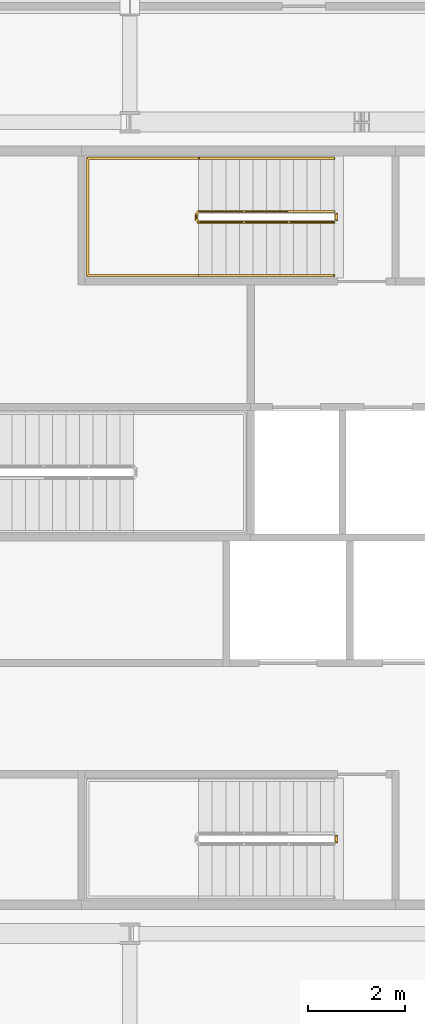
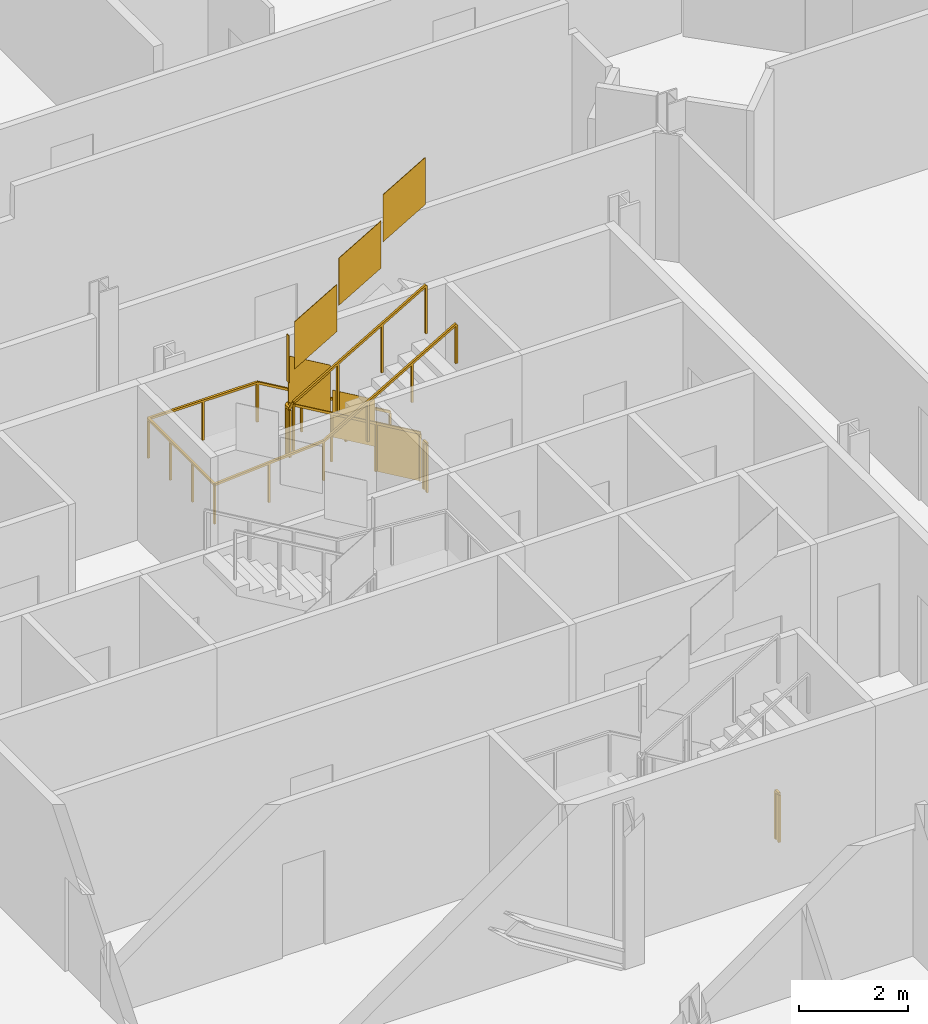
# One storey, part 18 of 21: 4 railings.
"""IFC4 building model written with IfcOpenShell, lengths in metres."""

from ifc_helpers import new_model, si_unit, direction, frame, origin, origin_2d, place, context, subcontext, project, spatial, polyline, rectangle, outline, extrude, material, type_object, element, save


model = new_model("IFC4")

# Units and contexts
model_context = context("Model", 3, precision=1e-05, world=origin(), true_north=direction((0.0, 1.0)))
body_context = subcontext(model_context, "Body", "Model", "MODEL_VIEW")
ifc_project = project(units=[si_unit("LENGTHUNIT", "METRE"), si_unit("AREAUNIT", "SQUARE_METRE"), si_unit("VOLUMEUNIT", "CUBIC_METRE"), si_unit("PLANEANGLEUNIT", "RADIAN"), si_unit("MASSUNIT", "GRAM", prefix="KILO")], contexts=[model_context])

# Site, building, storey
site_placement = place(None, origin())
site = spatial("IfcSite", under=ifc_project, at=site_placement, CompositionType="ELEMENT")
building_placement = place(site_placement, origin())
building = spatial("IfcBuilding", under=site, at=building_placement, Name="Cairn Pilgrim Tower", CompositionType="ELEMENT")
storey_placement = place(building_placement, frame((0.0, 0.0, 161.39990234375)))
storey = spatial("IfcBuildingStorey", under=building, at=storey_placement, Name="L40", CompositionType="ELEMENT", Elevation=161.39990234375)

# Railings
ifc_material = material(Name="Painted steel", Category="steel")
railing_type_1 = type_object("IfcRailingType", Name="STAIR GUARD 1100", PredefinedType="GUARDRAIL", material=ifc_material)
railing_1_placement = place(storey_placement, frame((11.47509765625, -3.97509765625, 0.0)))
element("IfcRailing", 1, at=railing_1_placement, inside=storey, type_object=railing_type_1, Name="L40 ST-A stair guard 2", PredefinedType="GUARDRAIL", context=body_context, shape_type="SweptSolid", body=[
    extrude(rectangle(XDim=0.048095703125, YDim=0.048095703125, at=origin_2d()), frame((0.0, 0.0, 1.076171875), z_axis=(0.0, -1.0, 0.0), x_axis=(1.0, 0.0, 0.0)), (0.0, 0.0, 1.0), 0.125),
    extrude(rectangle(XDim=0.0419921875, YDim=0.0419921875, at=origin_2d()), origin(), (0.0, 0.0, 1.0), 1.052001953125),
    extrude(rectangle(XDim=0.0419921875, YDim=0.0419921875, at=origin_2d()), frame((0.0, -0.125, 0.0)), (0.0, 0.0, 1.0), 1.052001953125),
    extrude(outline(polyline([(0.02099609375, 0.0), (0.10400390625, 0.0), (0.10400390625, 1.052001953125), (0.02099609375, 1.052001953125), (0.02099609375, 0.0)])), frame((0.005859375, 0.0, 0.0), z_axis=(-1.0, 0.0, 0.0), x_axis=(0.0, -1.0, 0.0)), (0.0, 0.0, 1.0), 0.011962890625),
])
railing_2_placement = place(storey_placement, frame((11.425048828125, 8.949951171875, 0.163818359375)))
element("IfcRailing", 2, at=railing_2_placement, inside=storey, type_object=railing_type_1, Name="L40 ST-C stair guard 1", PredefinedType="GUARDRAIL", context=body_context, shape_type="SweptSolid", body=[
    extrude(rectangle(XDim=0.048095703125, YDim=0.048095703125, at=origin_2d()), frame((0.0, 0.0, 1.076171875), z_axis=(-0.863393664356, 0.0, 0.504530851732), x_axis=(0.0, -1.0, 0.0)), (0.0, 0.0, 1.0), 3.2431640625),
    extrude(rectangle(XDim=0.048095703125, YDim=0.048095703125, at=origin_2d()), frame((-2.800048828125, 0.0, 2.71240234375), z_axis=(-0.707106781187, -0.707106781187, 0.0), x_axis=(0.707106781187, -0.707106781187, 0.0)), (0.0, 0.0, 1.0), 0.07080078125),
    extrude(rectangle(XDim=0.048095703125, YDim=0.048095703125, at=origin_2d()), frame((-2.85009765625, -0.050048828125, 2.71240234375), z_axis=(0.0, -1.0, 0.0), x_axis=(1.0, 0.0, 0.0)), (0.0, 0.0, 1.0), 0.125),
    extrude(rectangle(XDim=0.048095703125, YDim=0.048095703125, at=origin_2d()), frame((-2.85009765625, -0.175048828125, 2.71240234375), z_axis=(0.280916556609, -0.279546231943, 0.91811752648), x_axis=(0.705375805398, 0.708833529934, 0.0)), (0.0, 0.0, 1.0), 0.17822265625),
    extrude(rectangle(XDim=0.048095703125, YDim=0.048095703125, at=origin_2d()), frame((-2.800048828125, -0.224853515625, 2.8759765625), z_axis=(0.863360870873, 0.0, 0.504586966384), x_axis=(0.0, 1.0, 0.0)), (0.0, 0.0, 1.0), 3.2431640625),
    extrude(rectangle(XDim=0.0419921875, YDim=0.0419921875, at=origin_2d()), origin(), (0.0, 0.0, 1.0), 1.052001953125),
    extrude(rectangle(XDim=0.0419921875, YDim=0.0419921875, at=origin_2d()), frame((-0.933349609375, 0.0, 0.54541015625)), (0.0, 0.0, 1.0), 1.052001953125),
    extrude(rectangle(XDim=0.0419921875, YDim=0.0419921875, at=origin_2d()), frame((-1.86669921875, 0.0, 1.0908203125)), (0.0, 0.0, 1.0), 1.052001953125),
    extrude(rectangle(XDim=0.0419921875, YDim=0.0419921875, at=origin_2d()), frame((-2.800048828125, 0.0, 1.63623046875)), (0.0, 0.0, 1.0), 1.052001953125),
    extrude(rectangle(XDim=0.0419921875, YDim=0.0419921875, at=origin_2d()), frame((-2.85009765625, -0.050048828125, 1.63623046875)), (0.0, 0.0, 1.0), 1.052001953125),
    extrude(rectangle(XDim=0.0419921875, YDim=0.0419921875, at=origin_2d()), frame((-2.85009765625, -0.175048828125, 1.63623046875)), (0.0, 0.0, 1.0), 1.052001953125),
    extrude(rectangle(XDim=0.0419921875, YDim=0.0419921875, at=origin_2d()), frame((-2.800048828125, -0.224853515625, 1.7998046875)), (0.0, 0.0, 1.0), 1.052001953125),
    extrude(rectangle(XDim=0.0419921875, YDim=0.0419921875, at=origin_2d()), frame((-1.86669921875, -0.224853515625, 2.34521484375)), (0.0, 0.0, 1.0), 1.052001953125),
    extrude(rectangle(XDim=0.0419921875, YDim=0.0419921875, at=origin_2d()), frame((-0.933349609375, -0.224853515625, 2.890869140625)), (0.0, 0.0, 1.0), 1.052001953125),
    extrude(rectangle(XDim=0.0419921875, YDim=0.0419921875, at=origin_2d()), frame((0.0, -0.224853515625, 3.436279296875)), (0.0, 0.0, 1.0), 1.052001953125),
    extrude(outline(polyline([(0.02099609375, 0.01220703125), (0.912353515625, 0.533203125), (0.912353515625, 1.585205078125), (0.02099609375, 1.064208984375), (0.02099609375, 0.01220703125)])), frame((0.0, -0.005859375, 0.0), z_axis=(0.0, 1.0, 0.0), x_axis=(-1.0, 0.0, 0.0)), (0.0, 0.0, 1.0), 0.011962890625),
    extrude(outline(polyline([(0.02099609375, 0.5576171875), (0.912353515625, 1.07861328125), (0.912353515625, 2.130615234375), (0.02099609375, 1.609619140625), (0.02099609375, 0.5576171875)])), frame((-0.933349609375, -0.005859375, 0.54541015625), z_axis=(0.0, 1.0, 0.0), x_axis=(-1.0, 0.0, 0.0)), (0.0, 0.0, 1.0), 0.011962890625),
    extrude(outline(polyline([(0.02099609375, 1.10302734375), (0.912353515625, 1.6240234375), (0.912353515625, 2.676025390625), (0.02099609375, 2.155029296875), (0.02099609375, 1.10302734375)])), frame((-1.86669921875, -0.005859375, 1.0908203125), z_axis=(0.0, 1.0, 0.0), x_axis=(-1.0, 0.0, 0.0)), (0.0, 0.0, 1.0), 0.011962890625),
    extrude(outline(polyline([(0.02099609375, 1.63623046875), (0.10400390625, 1.63623046875), (0.10400390625, 2.688232421875), (0.02099609375, 2.688232421875), (0.02099609375, 1.63623046875)])), frame((-2.84423828125, -0.050048828125, 1.63623046875), z_axis=(-1.0, 0.0, 0.0), x_axis=(0.0, -1.0, 0.0)), (0.0, 0.0, 1.0), 0.011962890625),
    extrude(outline(polyline([(0.02099609375, 1.81201171875), (0.912353515625, 2.3330078125), (0.912353515625, 3.385009765625), (0.02099609375, 2.864013671875), (0.02099609375, 1.81201171875)])), frame((-2.800048828125, -0.21875, 1.7998046875), z_axis=(0.0, -1.0, 0.0), x_axis=(1.0, 0.0, 0.0)), (0.0, 0.0, 1.0), 0.011962890625),
    extrude(outline(polyline([(0.02099609375, 2.357666015625), (0.912353515625, 2.87841796875), (0.912353515625, 3.930419921875), (0.02099609375, 3.40966796875), (0.02099609375, 2.357666015625)])), frame((-1.86669921875, -0.21875, 2.34521484375), z_axis=(0.0, -1.0, 0.0), x_axis=(1.0, 0.0, 0.0)), (0.0, 0.0, 1.0), 0.011962890625),
    extrude(outline(polyline([(0.02099609375, 2.903076171875), (0.912353515625, 3.424072265625), (0.912353515625, 4.47607421875), (0.02099609375, 3.955078125), (0.02099609375, 2.903076171875)])), frame((-0.933349609375, -0.21875, 2.890869140625), z_axis=(0.0, -1.0, 0.0), x_axis=(1.0, 0.0, 0.0)), (0.0, 0.0, 1.0), 0.011962890625),
])
railing_3_placement = place(storey_placement, frame((11.47509765625, 8.89990234375, 0.0)))
element("IfcRailing", 3, at=railing_3_placement, inside=storey, type_object=railing_type_1, Name="L40 ST-C stair guard 2", PredefinedType="GUARDRAIL", context=body_context, shape_type="SweptSolid", body=[
    extrude(rectangle(XDim=0.048095703125, YDim=0.048095703125, at=origin_2d()), frame((0.0, 0.0, 1.076171875), z_axis=(0.0, -1.0, 0.0), x_axis=(1.0, 0.0, 0.0)), (0.0, 0.0, 1.0), 0.125),
    extrude(rectangle(XDim=0.0419921875, YDim=0.0419921875, at=origin_2d()), origin(), (0.0, 0.0, 1.0), 1.052001953125),
    extrude(rectangle(XDim=0.0419921875, YDim=0.0419921875, at=origin_2d()), frame((0.0, -0.125, 0.0)), (0.0, 0.0, 1.0), 1.052001953125),
    extrude(outline(polyline([(0.02099609375, 0.0), (0.10400390625, 0.0), (0.10400390625, 1.052001953125), (0.02099609375, 1.052001953125), (0.02099609375, 0.0)])), frame((0.005859375, 0.0, 0.0), z_axis=(-1.0, 0.0, 0.0), x_axis=(0.0, -1.0, 0.0)), (0.0, 0.0, 1.0), 0.011962890625),
])
railing_type_2 = type_object("IfcRailingType", Name="STAIR HANDRAIL 900", PredefinedType="HANDRAIL", material=ifc_material)
railing_4_placement = place(storey_placement, frame((11.425048828125, 10.050048828125, 0.163818359375)))
element("IfcRailing", 4, at=railing_4_placement, inside=storey, type_object=railing_type_2, Name="L40 ST-C stair handrail 1", PredefinedType="HANDRAIL", context=body_context, shape_type="SweptSolid", body=[
    extrude(rectangle(XDim=0.048095703125, YDim=0.048095703125, at=origin_2d()), frame((0.0, 0.0, 0.8759765625), z_axis=(-0.863393664356, 0.0, 0.504530851732), x_axis=(0.0, -1.0, 0.0)), (0.0, 0.0, 1.0), 3.2431640625),
    extrude(rectangle(XDim=0.048095703125, YDim=0.048095703125, at=origin_2d()), frame((-2.800048828125, 0.0, 2.51220703125), z_axis=(-1.0, 0.0, 0.0), x_axis=(0.0, -1.0, 0.0)), (0.0, 0.0, 1.0), 2.300048828125),
    extrude(rectangle(XDim=0.048095703125, YDim=0.048095703125, at=origin_2d()), frame((-5.10009765625, 0.0, 2.51220703125), z_axis=(0.0, -1.0, 0.0), x_axis=(1.0, 0.0, 0.0)), (0.0, 0.0, 1.0), 2.425048828125),
    extrude(rectangle(XDim=0.048095703125, YDim=0.048095703125, at=origin_2d()), frame((-5.10009765625, -2.425048828125, 2.51220703125), z_axis=(0.997480687736, 0.0, 0.070938548008), x_axis=(0.0, 1.0, 0.0)), (0.0, 0.0, 1.0), 2.305908203125),
    extrude(rectangle(XDim=0.048095703125, YDim=0.048095703125, at=origin_2d()), frame((-2.800048828125, -2.425048828125, 2.67578125), z_axis=(0.863360870873, 0.0, 0.504586966384), x_axis=(0.0, 1.0, 0.0)), (0.0, 0.0, 1.0), 3.2431640625),
    extrude(rectangle(XDim=0.0419921875, YDim=0.0419921875, at=origin_2d()), origin(), (0.0, 0.0, 1.0), 0.851806640625),
    extrude(rectangle(XDim=0.0419921875, YDim=0.0419921875, at=origin_2d()), frame((-0.933349609375, 0.0, 0.54541015625)), (0.0, 0.0, 1.0), 0.851806640625),
    extrude(rectangle(XDim=0.0419921875, YDim=0.0419921875, at=origin_2d()), frame((-1.86669921875, 0.0, 1.0908203125)), (0.0, 0.0, 1.0), 0.851806640625),
    extrude(rectangle(XDim=0.0419921875, YDim=0.0419921875, at=origin_2d()), frame((-2.800048828125, 0.0, 1.63623046875)), (0.0, 0.0, 1.0), 0.851806640625),
    extrude(rectangle(XDim=0.0419921875, YDim=0.0419921875, at=origin_2d()), frame((-3.9501953125, 0.0, 1.63623046875)), (0.0, 0.0, 1.0), 0.851806640625),
    extrude(rectangle(XDim=0.0419921875, YDim=0.0419921875, at=origin_2d()), frame((-5.10009765625, 0.0, 1.63623046875)), (0.0, 0.0, 1.0), 0.851806640625),
    extrude(rectangle(XDim=0.0419921875, YDim=0.0419921875, at=origin_2d()), frame((-5.10009765625, -0.808349609375, 1.63623046875)), (0.0, 0.0, 1.0), 0.851806640625),
    extrude(rectangle(XDim=0.0419921875, YDim=0.0419921875, at=origin_2d()), frame((-5.10009765625, -1.61669921875, 1.63623046875)), (0.0, 0.0, 1.0), 0.851806640625),
    extrude(rectangle(XDim=0.0419921875, YDim=0.0419921875, at=origin_2d()), frame((-5.10009765625, -2.425048828125, 1.63623046875)), (0.0, 0.0, 1.0), 0.851806640625),
    extrude(rectangle(XDim=0.0419921875, YDim=0.0419921875, at=origin_2d()), frame((-3.9501953125, -2.425048828125, 1.718017578125)), (0.0, 0.0, 1.0), 0.851806640625),
    extrude(rectangle(XDim=0.0419921875, YDim=0.0419921875, at=origin_2d()), frame((-2.800048828125, -2.425048828125, 1.7998046875)), (0.0, 0.0, 1.0), 0.851806640625),
    extrude(rectangle(XDim=0.0419921875, YDim=0.0419921875, at=origin_2d()), frame((-1.86669921875, -2.425048828125, 2.34521484375)), (0.0, 0.0, 1.0), 0.851806640625),
    extrude(rectangle(XDim=0.0419921875, YDim=0.0419921875, at=origin_2d()), frame((-0.933349609375, -2.425048828125, 2.890869140625)), (0.0, 0.0, 1.0), 0.851806640625),
    extrude(rectangle(XDim=0.0419921875, YDim=0.0419921875, at=origin_2d()), frame((0.0, -2.425048828125, 3.436279296875)), (0.0, 0.0, 1.0), 0.851806640625),
])

save(model, "model.ifc")
